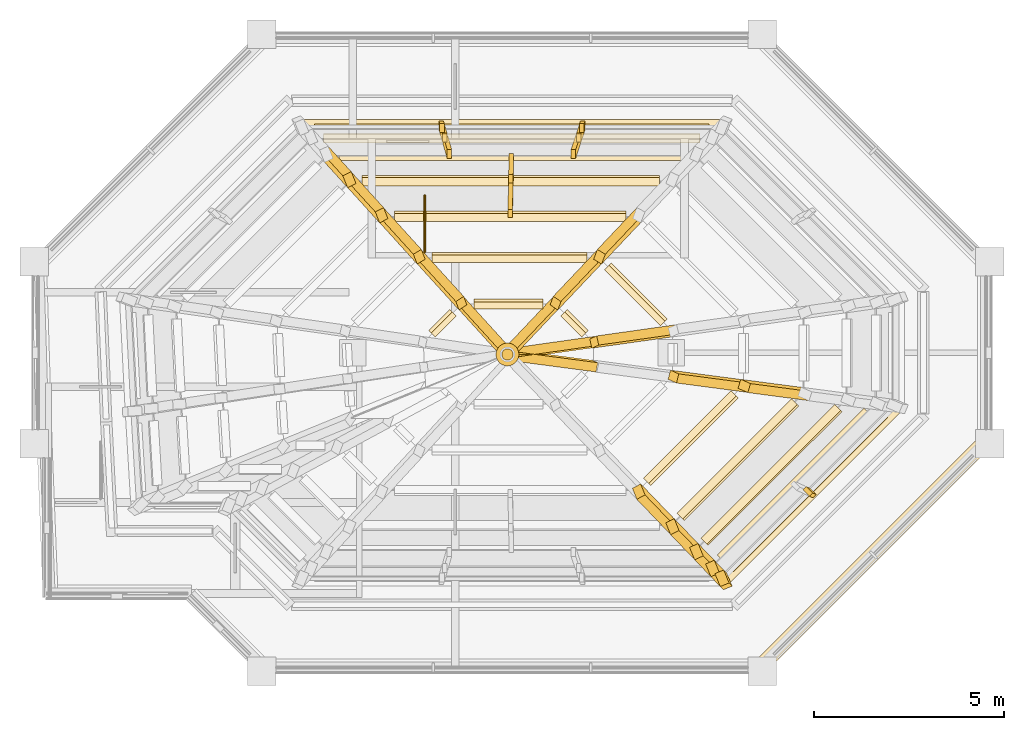
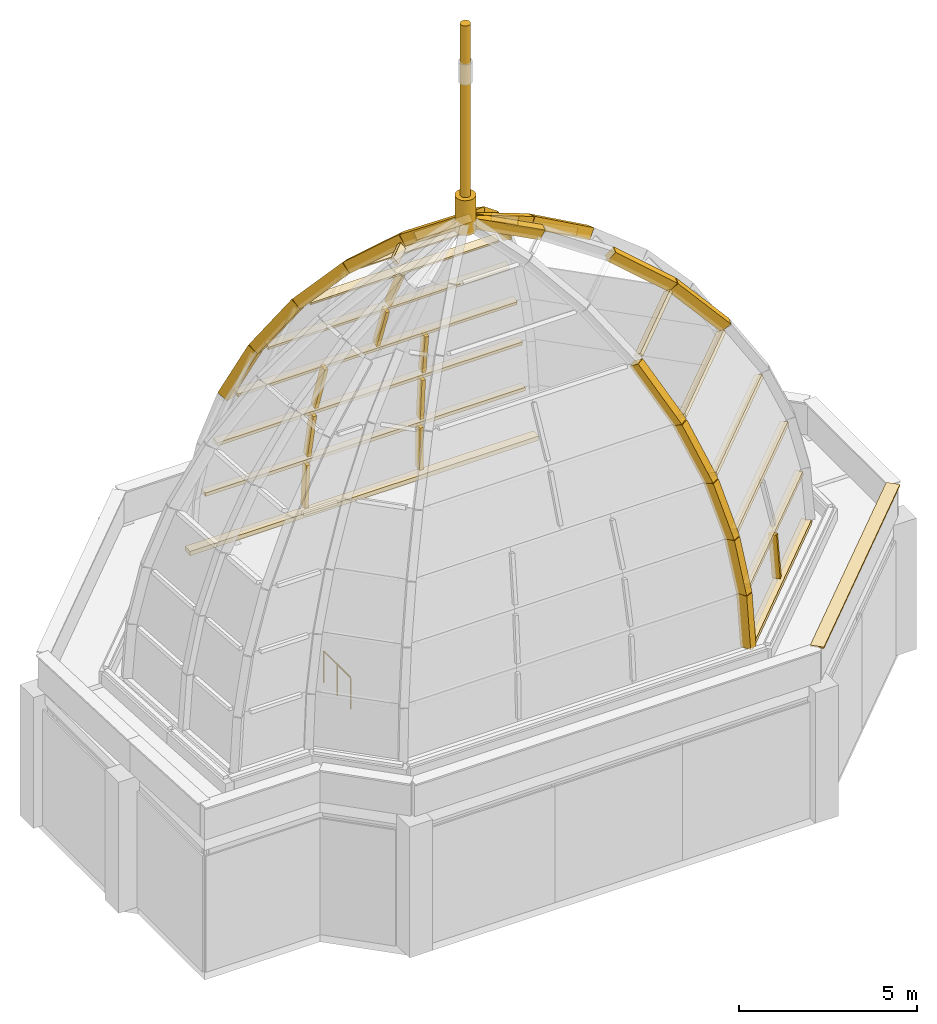
# One storey, part 8 of 9: 47 coverings, 1 railing.
"""IFC4 building model written with IfcOpenShell, lengths in metres."""

from ifc_helpers import new_model, si_unit, direction, frame, origin, origin_2d, place, context, subcontext, project, spatial, polyline, rectangle, circle, outline, extrude, material, layer, layer_set, material_profile, profile_set, type_object, element, save


model = new_model("IFC4")

# Units and contexts
model_context = context("Model", 3, precision=1e-05, world=origin(), true_north=direction((0.0, 1.0)))
body_context = subcontext(model_context, "Body", "Model", "MODEL_VIEW")
ifc_project = project(units=[si_unit("LENGTHUNIT", "METRE"), si_unit("AREAUNIT", "SQUARE_METRE"), si_unit("VOLUMEUNIT", "CUBIC_METRE"), si_unit("PLANEANGLEUNIT", "RADIAN"), si_unit("MASSUNIT", "GRAM", prefix="KILO")], contexts=[model_context])

# Site, building, storey
site_placement = place(None, origin())
site = spatial("IfcSite", under=ifc_project, at=site_placement, CompositionType="ELEMENT")
building_placement = place(site_placement, origin())
building = spatial("IfcBuilding", under=site, at=building_placement, Name="Kawkab Arch Medical Tower", CompositionType="ELEMENT")
storey_placement = place(building_placement, frame((0.0, 0.0, 359.199951171875)))
storey = spatial("IfcBuildingStorey", under=building, at=storey_placement, Name="L83", CompositionType="ELEMENT", Elevation=359.199951171875)

# Coverings
ifc_material_1 = material(Name="Bronze painted steel hip rib", Category="steel")
ifc_layer_1 = layer(ifc_material_1, 0.3701171875)
ifc_layer_set_1 = layer_set([ifc_layer_1], Name="Bronze painted steel hip rib")
covering_type_1 = type_object("IfcCoveringType", Name="Crown hip rib 250 x 370", PredefinedType="CLADDING", material=ifc_layer_set_1)
covering_1_placement = place(storey_placement, frame((18.4052734375, -39.7548828125, 4.666259765625), z_axis=(0.381807446247, -0.922302771131, 0.059838719524), x_axis=(-0.044456195822, 0.046342156701, 0.997935895319)))
element("IfcCovering", 1, at=covering_1_placement, inside=storey, type_object=covering_type_1, Name="Crown hip rib, peak B 4 row 1", PredefinedType="CLADDING", context=body_context, shape_type="SweptSolid", body=[
    extrude(outline(polyline([(0.0, 0.0), (1.8235859391934315, -6.938893903907228e-18), (1.823559726345783, 0.25016266329788933), (-0.0002807031042745172, 0.24994296998615), (0.0, 0.0)])), origin(), (0.0, 0.0, -1.0), 0.3701171875),
])
covering_2_placement = place(storey_placement, frame((18.32177734375, -39.666748046875, 6.518310546875), z_axis=(0.374739708189, -0.909548638126, 0.179698152435), x_axis=(-0.133482111925, 0.138873171108, 0.981273034452)))
element("IfcCovering", 2, at=covering_2_placement, inside=storey, type_object=covering_type_1, Name="Crown hip rib, peak B 4 row 2", PredefinedType="CLADDING", context=body_context, shape_type="SweptSolid", body=[
    extrude(outline(polyline([(0.0, 0.0), (1.8545584120643046, 0.0), (1.8545538163702742, 0.24987921080502556), (-0.00024416430595699395, 0.24989614615207129), (0.0, 0.0)])), origin(), (0.0, 0.0, -1.0), 0.3701171875),
])
covering_3_placement = place(storey_placement, frame((18.069580078125, -39.4013671875, 8.3701171875), z_axis=(0.360654625762, -0.883144091865, 0.299974588793), x_axis=(-0.222123062861, 0.231039474476, 0.947249759134)))
element("IfcCovering", 3, at=covering_3_placement, inside=storey, type_object=covering_type_1, Name="Crown hip rib, peak B 4 row 3", PredefinedType="CLADDING", context=body_context, shape_type="SweptSolid", body=[
    extrude(outline(polyline([(0.0, 0.0), (1.9213983966848414, 5.551115123125783e-17), (1.9213189850502945, 0.2500938936690524), (9.762125028505222e-05, 0.24984518634115202), (0.0, 0.0)])), origin(), (0.0, 0.0, -1.0), 0.3701171875),
])
covering_4_placement = place(storey_placement, frame((17.6357421875, -38.945068359375, 10.2216796875), z_axis=(0.338602559858, -0.841229343618, 0.421522831996), x_axis=(-0.310593937935, 0.322948175244, 0.893999933906)))
element("IfcCovering", 4, at=covering_4_placement, inside=storey, type_object=covering_type_1, Name="Crown hip rib, peak B 4 row 4", PredefinedType="CLADDING", context=body_context, shape_type="SweptSolid", body=[
    extrude(outline(polyline([(0.0, 0.0), (2.035866025990175, 5.551115123125783e-17), (2.0357383184913838, 0.24990183866007798), (0.00016638280195124117, 0.2500815894782688), (0.0, 0.0)])), origin(), (0.0, 0.0, -1.0), 0.3701171875),
])
covering_5_placement = place(storey_placement, frame((7.531982421875, -28.266357421875, 10.22021484375), z_axis=(-0.339493719066, 0.84092798058, 0.421407339984), x_axis=(0.298253514075, -0.328656094546, 0.896119418861)))
element("IfcCovering", 5, at=covering_5_placement, inside=storey, type_object=covering_type_1, Name="Crown hip rib, peak B 8 row 4", PredefinedType="CLADDING", context=body_context, shape_type="SweptSolid", body=[
    extrude(outline(polyline([(0.0, 0.0), (2.0308073435298706, 5.551115123125783e-17), (2.030916674406926, 0.24985174969788293), (-0.00010944827794007878, 0.24988574214062237), (0.0, 0.0)])), origin(), (0.0, 0.0, -1.0), 0.3701171875),
])
covering_6_placement = place(storey_placement, frame((16.99365234375, -38.27001953125, 12.07275390625), z_axis=(0.306776015976, -0.780556951799, 0.54462769028), x_axis=(-0.398433342998, 0.414348724468, 0.818270130042)))
element("IfcCovering", 6, at=covering_6_placement, inside=storey, type_object=covering_type_1, Name="Crown hip rib, peak B 4 row 5", PredefinedType="CLADDING", context=body_context, shape_type="SweptSolid", body=[
    extrude(outline(polyline([(0.0, 0.0), (2.224287912454489, -5.551115123125783e-17), (2.224362542602309, 0.24993250729226513), (7.463014781943639e-05, 0.24993250729226513), (0.0, 0.0)])), origin(), (0.0, 0.0, -1.0), 0.3701171875),
])
covering_7_placement = place(storey_placement, frame((20.48779296875, -34.62451171875, 12.090087890625), z_axis=(0.698217470194, -0.30431903165, 0.647983249237), x_axis=(-0.657123567256, 0.086693109119, 0.748780957415)))
element("IfcCovering", 7, at=covering_7_placement, inside=storey, type_object=covering_type_1, Name="Crown hip rib, peak B 5 row 5", PredefinedType="CLADDING", context=body_context, shape_type="SweptSolid", body=[
    extrude(outline(polyline([(0.0, 0.0), (2.4306349042213844, 5.551115123125783e-17), (2.430627158178041, 0.24992785332067302), (-0.00016817660175519333, 0.24985850664625595), (0.0, 0.0)])), origin(), (0.0, 0.0, -1.0), 0.3701171875),
])
covering_8_placement = place(storey_placement, frame((8.147216796875, -28.951416015625, 12.071044921875), z_axis=(-0.30825655698, 0.779903713763, 0.544727539544), x_axis=(0.383186459248, -0.422309609386, 0.82147594686)))
element("IfcCovering", 8, at=covering_8_placement, inside=storey, type_object=covering_type_1, Name="Crown hip rib, peak B 8 row 5", PredefinedType="CLADDING", context=body_context, shape_type="SweptSolid", body=[
    extrude(outline(polyline([(0.0, 0.0), (2.2153104125648166, -1.1102230246251565e-16), (2.2152008791524764, 0.2498763253807761), (-0.0001095334123400113, 0.24987632538077614), (0.0, 0.0)])), origin(), (0.0, 0.0, -1.0), 0.3701171875),
])
covering_9_placement = place(storey_placement, frame((18.86376953125, -34.404052734375, 13.934326171875), z_axis=(0.598014543558, -0.264931330509, 0.756432413245), x_axis=(-0.763036329931, 0.10061863342, 0.63847588037)))
element("IfcCovering", 9, at=covering_9_placement, inside=storey, type_object=covering_type_1, Name="Crown hip rib, peak B 5 row 6", PredefinedType="CLADDING", context=body_context, shape_type="SweptSolid", body=[
    extrude(outline(polyline([(0.0, 0.0), (2.4431373971900294, 2.7755575615628914e-17), (2.4431705070877165, 0.2499730380015415), (-0.00012276800279431566, 0.25000770128864536), (0.0, 0.0)])), origin(), (0.0, 0.0, -1.0), 0.3701171875),
])
covering_10_placement = place(storey_placement, frame((15.885986328125, -29.78369140625, 13.87158203125), z_axis=(0.267142136067, 0.697263401305, 0.665175787546), x_axis=(-0.477241549607, -0.503942741122, 0.719918201603)))
element("IfcCovering", 10, at=covering_10_placement, inside=storey, type_object=covering_type_1, Name="Crown hip rib, peak B 7 row 6", PredefinedType="CLADDING", context=body_context, shape_type="SweptSolid", body=[
    extrude(outline(polyline([(0.0, 0.0), (2.1669942366739483, -2.220446049250313e-16), (2.1670444070298407, 0.2499482527786558), (5.017035589222063e-05, 0.2499482527786559), (0.0, 0.0)])), origin(), (0.0, 0.0, -1.0), 0.3701171875),
])
covering_11_placement = place(storey_placement, frame((9.0078125, -29.909423828125, 13.918701171875), z_axis=(-0.26971684962, 0.699968652738, 0.661284134253), x_axis=(0.461536426615, -0.508742606939, 0.726749672716)))
element("IfcCovering", 11, at=covering_11_placement, inside=storey, type_object=covering_type_1, Name="Crown hip rib, peak B 8 row 6", PredefinedType="CLADDING", context=body_context, shape_type="SweptSolid", body=[
    extrude(outline(polyline([(0.0, 0.0), (2.146594460130639, -1.6653345369377348e-16), (2.1467465964278327, 0.25007730641741344), (3.9456505540061415e-05, 0.2498709769731566), (0.0, 0.0)])), origin(), (0.0, 0.0, -1.0), 0.3701171875),
])
covering_12_placement = place(storey_placement, frame((16.918701171875, -32.86279296875, 15.47900390625), z_axis=(0.493248602641, 0.221858704892, 0.84112099668), x_axis=(-0.842581660815, -0.11851812757, 0.525366156404)))
element("IfcCovering", 12, at=covering_12_placement, inside=storey, type_object=covering_type_1, Name="Crown hip rib, peak B 6 row 7", PredefinedType="CLADDING", context=body_context, shape_type="SweptSolid", body=[
    extrude(outline(polyline([(0.0, 0.0), (2.474296839786703, 1.1102230246251565e-16), (2.4743124364348885, 0.24994116934735583), (-6.184854332125234e-05, 0.2500253295807209), (0.0, 0.0)])), origin(), (0.0, 0.0, -1.0), 0.3701171875),
])
covering_13_placement = place(storey_placement, frame((14.845947265625, -30.89111328125, 15.45361328125), z_axis=(0.224240635804, 0.602774198681, 0.765754139824), x_axis=(-0.544118175914, -0.574440997601, 0.611516926106)))
element("IfcCovering", 13, at=covering_13_placement, inside=storey, type_object=covering_type_1, Name="Crown hip rib, peak B 7 row 7", PredefinedType="CLADDING", context=body_context, shape_type="SweptSolid", body=[
    extrude(outline(polyline([(0.0, 0.0), (2.125906596435496, -5.551115123125783e-17), (2.1260217739463214, 0.24981608359473062), (-1.7663840715984036e-05, 0.25001346816433795), (0.0, 0.0)])), origin(), (0.0, 0.0, -1.0), 0.3701171875),
])
covering_14_placement = place(storey_placement, frame((10.01123046875, -31.027587890625, 15.501220703125), z_axis=(-0.227361029851, 0.60550259641, 0.762675270247), x_axis=(0.527817829647, -0.581542183245, 0.619045255061)))
element("IfcCovering", 14, at=covering_14_placement, inside=storey, type_object=covering_type_1, Name="Crown hip rib, peak B 8 row 7", PredefinedType="CLADDING", context=body_context, shape_type="SweptSolid", body=[
    extrude(outline(polyline([(0.0, 0.0), (2.09999583261425, 2.7755575615628914e-17), (2.1000244455020773, 0.2499604068167074), (-0.0001133651842536651, 0.2500930485092324), (0.0, 0.0)])), origin(), (0.0, 0.0, -1.0), 0.3701171875),
])
covering_15_placement = place(storey_placement, frame((14.86083984375, -33.862060546875, 16.8232421875), z_axis=(0.389851209253, -0.178659564044, 0.903380758495), x_axis=(-0.902849346687, 0.119009910423, 0.413158200219)))
element("IfcCovering", 15, at=covering_15_placement, inside=storey, type_object=covering_type_1, Name="Crown hip rib, peak B 5 row 8", PredefinedType="CLADDING", context=body_context, shape_type="SweptSolid", body=[
    extrude(outline(polyline([(0.0, 0.0), (2.5169403451618946, -2.7755575615628914e-17), (2.5170820831098983, 0.24996524317979602), (4.086924677820271e-05, 0.24999329652774172), (0.0, 0.0)])), origin(), (0.0, 0.0, -1.0), 0.3701171875),
])
covering_16_placement = place(storey_placement, frame((14.814453125, -33.164794921875, 16.795166015625), z_axis=(0.388894897894, 0.17701009125, 0.904117351889), x_axis=(-0.901948380018, -0.126842547211, 0.412795455401)))
element("IfcCovering", 16, at=covering_16_placement, inside=storey, type_object=covering_type_1, Name="Crown hip rib, peak B 6 row 8", PredefinedType="CLADDING", context=body_context, shape_type="SweptSolid", body=[
    extrude(outline(polyline([(0.0, 0.0), (2.5195022108193594, -1.3877787807814457e-17), (2.519547987714154, 0.24988767542457452), (4.5776894794973336e-05, 0.24988767542457446), (0.0, 0.0)])), origin(), (0.0, 0.0, -1.0), 0.3701171875),
])
covering_17_placement = place(storey_placement, frame((13.6826171875, -32.130615234375, 16.774169921875), z_axis=(0.178792724936, 0.494903936494, 0.850354781931), x_axis=(-0.598166828528, -0.63153246946, 0.493318543404)))
element("IfcCovering", 17, at=covering_17_placement, inside=storey, type_object=covering_type_1, Name="Crown hip rib, peak B 7 row 8", PredefinedType="CLADDING", context=body_context, shape_type="SweptSolid", body=[
    extrude(outline(polyline([(0.0, 0.0), (2.108109184622725, -1.3877787807814457e-16), (2.108007486291129, 0.24996586968761456), (0.0001647775892855731, 0.24981986132887263), (0.0, 0.0)])), origin(), (0.0, 0.0, -1.0), 0.3701171875),
])
covering_18_placement = place(storey_placement, frame((11.1328125, -32.277587890625, 16.818359375), z_axis=(-0.181612664, 0.497646630742, 0.848153683707), x_axis=(0.58168710031, -0.641054922795, 0.500688229632)))
element("IfcCovering", 18, at=covering_18_placement, inside=storey, type_object=covering_type_1, Name="Crown hip rib, peak B 8 row 8", PredefinedType="CLADDING", context=body_context, shape_type="SweptSolid", body=[
    extrude(outline(polyline([(0.0, 0.0), (2.076731307700895, -5.551115123125783e-17), (2.0768185305952587, 0.24996433866329587), (8.722289436323416e-05, 0.24996433866329582), (0.0, 0.0)])), origin(), (0.0, 0.0, -1.0), 0.3701171875),
])
ifc_material_2 = material(Name="Bronze anodised aluminium joint bar", Category="aluminium")
ifc_layer_2 = layer(ifc_material_2, 0.239990234375)
ifc_layer_set_2 = layer_set([ifc_layer_2], Name="Bronze anodised aluminium joint bar")
covering_type_2 = type_object("IfcCoveringType", Name="Crown joint bar 120 x 240", PredefinedType="CLADDING", material=ifc_layer_set_2)
covering_19_placement = place(storey_placement, frame((18.44189453125, -39.373291015625, 6.41796875), z_axis=(0.705663874894, -0.705642707306, 0.064084828902), x_axis=(0.707096131957, 0.707117430255, 9.59177e-07)))
element("IfcCovering", 19, at=covering_19_placement, inside=storey, type_object=covering_type_2, Name="Crown joint bar, peak B face 4 ring 1", PredefinedType="CLADDING", context=body_context, shape_type="SweptSolid", body=[
    extrude(outline(polyline([(0.0, 0.0), (5.755082708100826, 0.0), (5.755082937241224, 0.11986978387776409), (0.00017286523176916475, 0.11988084673366683), (0.0, 0.0)])), origin(), (0.0, 0.0, -1.0), 0.239990234375),
])
covering_20_placement = place(storey_placement, frame((17.7998046875, -27.56298828125, 6.415771484375), z_axis=(0.0, 0.99890466066, 0.046791868015), x_axis=(-1.0, 0.0, 0.0)))
element("IfcCovering", 20, at=covering_20_placement, inside=storey, type_object=covering_type_2, Name="Crown joint bar, peak B face 7 ring 1", PredefinedType="CLADDING", context=body_context, shape_type="SweptSolid", body=[
    extrude(outline(polyline([(0.0, 0.0), (10.40283203125, 0.0), (10.40283203125, 0.12000449251666426), (0.0, 0.12000449251666426), (0.0, 0.0)])), origin(), (0.0, 0.0, -1.0), 0.239990234375),
])
covering_21_placement = place(storey_placement, frame((18.198486328125, -39.119873046875, 8.254150390625), z_axis=(0.693902892803, -0.693859127247, 0.192505290566), x_axis=(0.707084480959, 0.707129080711, 0.0)))
element("IfcCovering", 21, at=covering_21_placement, inside=storey, type_object=covering_type_2, Name="Crown joint bar, peak B face 4 ring 2", PredefinedType="CLADDING", context=body_context, shape_type="SweptSolid", body=[
    extrude(outline(polyline([(0.0, 0.0), (5.474035384715375, 0.0), (5.474036114252346, 0.12016754335205225), (7.295369721400241e-07, 0.12016754335205217), (0.0, 0.0)])), origin(), (0.0, 0.0, -1.0), 0.239990234375),
])
covering_22_placement = place(storey_placement, frame((17.55224609375, -27.81982421875, 8.247802734375), z_axis=(0.0, 0.989785908973, 0.142561756436), x_axis=(-1.0, 0.0, 0.0)))
element("IfcCovering", 22, at=covering_22_placement, inside=storey, type_object=covering_type_2, Name="Crown joint bar, peak B face 7 ring 2", PredefinedType="CLADDING", context=body_context, shape_type="SweptSolid", body=[
    extrude(outline(polyline([(0.0, 0.0), (9.918212890625, 0.0), (9.918212890625, 0.11987677605260985), (0.0, 0.11987677605260985), (0.0, 0.0)])), origin(), (0.0, 0.0, -1.0), 0.239990234375),
])
covering_23_placement = place(storey_placement, frame((17.77392578125, -38.67822265625, 10.091552734375), z_axis=(0.669942113292, -0.669965292273, 0.31988134048), x_axis=(0.70712026494, 0.707093297157, -5.243041e-06)))
element("IfcCovering", 23, at=covering_23_placement, inside=storey, type_object=covering_type_2, Name="Crown joint bar, peak B face 4 ring 3", PredefinedType="CLADDING", context=body_context, shape_type="SweptSolid", body=[
    extrude(outline(polyline([(0.0, 0.0), (4.989625807158671, 1.1102230246251565e-16), (4.989797110043406, 0.12010636827441022), (-1.3273147655318012e-06, 0.12005114413115725), (0.0, 0.0)])), origin(), (0.0, 0.0, -1.0), 0.239990234375),
])
covering_24_placement = place(storey_placement, frame((17.125244140625, -28.266845703125, 10.08056640625), z_axis=(0.0, 0.970855113545, 0.239667161921), x_axis=(-1.0, 0.0, 0.0)))
element("IfcCovering", 24, at=covering_24_placement, inside=storey, type_object=covering_type_2, Name="Crown joint bar, peak B face 7 ring 3", PredefinedType="CLADDING", context=body_context, shape_type="SweptSolid", body=[
    extrude(outline(polyline([(0.0, 0.0), (9.082275390625, 0.0), (9.082275390625, 0.12020250717315713), (0.0, 0.12020250717315713), (0.0, 0.0)])), origin(), (0.0, 0.0, -1.0), 0.239990234375),
])
covering_25_placement = place(storey_placement, frame((17.142578125, -38.021728515625, 11.93017578125), z_axis=(0.63241010851, -0.632435662499, 0.44730592155), x_axis=(0.707123925041, 0.70708963687, -8.082222e-06)))
element("IfcCovering", 25, at=covering_25_placement, inside=storey, type_object=covering_type_2, Name="Crown joint bar, peak B face 4 ring 4", PredefinedType="CLADDING", context=body_context, shape_type="SweptSolid", body=[
    extrude(outline(polyline([(0.0, 0.0), (4.272506283939142, -2.220446049250313e-16), (4.272331482501814, 0.11987314318307438), (-2.163760316342385e-06, 0.11979592632024422), (0.0, 0.0)])), origin(), (0.0, 0.0, -1.0), 0.239990234375),
])
covering_26_placement = place(storey_placement, frame((16.4931640625, -28.931884765625, 11.9150390625), z_axis=(0.0, 0.938898256401, 0.344194805492), x_axis=(-1.0, 0.0, 0.0)))
element("IfcCovering", 26, at=covering_26_placement, inside=storey, type_object=covering_type_2, Name="Crown joint bar, peak B face 7 ring 4", PredefinedType="CLADDING", context=body_context, shape_type="SweptSolid", body=[
    extrude(outline(polyline([(0.0, 0.0), (7.844482421875, 0.0), (7.844482421875, 0.11987329549044994), (0.0, 0.11987329549044994), (0.0, 0.0)])), origin(), (0.0, 0.0, -1.0), 0.239990234375),
])
covering_27_placement = place(storey_placement, frame((16.255615234375, -37.09912109375, 13.77001953125), z_axis=(0.578531794043, -0.578562368602, 0.574949170726), x_axis=(0.707119288907, 0.707094273136, 1.2430101e-05)))
element("IfcCovering", 27, at=covering_27_placement, inside=storey, type_object=covering_type_2, Name="Crown joint bar, peak B face 4 ring 5", PredefinedType="CLADDING", context=body_context, shape_type="SweptSolid", body=[
    extrude(outline(polyline([(0.0, 0.0), (3.2665709254113677, 0.0), (3.26674356042971, 0.11990372618394411), (-1.5268011725260303e-09, 0.12000298166674517), (0.0, 0.0)])), origin(), (0.0, 0.0, -1.0), 0.239990234375),
])
covering_28_placement = place(storey_placement, frame((15.60693359375, -29.86669921875, 13.75146484375), z_axis=(0.0, 0.889902252843, 0.456151269192), x_axis=(-1.0, 0.0, 0.0)))
element("IfcCovering", 28, at=covering_28_placement, inside=storey, type_object=covering_type_2, Name="Crown joint bar, peak B face 7 ring 5", PredefinedType="CLADDING", context=body_context, shape_type="SweptSolid", body=[
    extrude(outline(polyline([(0.0, 0.0), (6.109130859375, 0.0), (6.109130859375, 0.11988895722443155), (0.0, 0.11988895722443155), (0.0, 0.0)])), origin(), (0.0, 0.0, -1.0), 0.239990234375),
])
covering_29_placement = place(storey_placement, frame((16.697998046875, -32.712158203125, 15.35009765625), z_axis=(0.509113784636, 0.509155776865, 0.693947800039), x_axis=(-0.707121898609, 0.707091663141, -2.0605385e-05)))
element("IfcCovering", 29, at=covering_29_placement, inside=storey, type_object=covering_type_2, Name="Crown joint bar, peak B face 6 ring 6", PredefinedType="CLADDING", context=body_context, shape_type="SweptSolid", body=[
    extrude(outline(polyline([(0.0, 0.0), (2.093008450030865, 0.0), (2.0931810853677923, 0.12009148924551134), (-1.845350400563469e-09, 0.11997169061381854), (0.0, 0.0)])), origin(), (0.0, 0.0, -1.0), 0.239990234375),
])
covering_30_placement = place(storey_placement, frame((14.572509765625, -30.960205078125, 15.329833984375), z_axis=(0.0, 0.819614875953, 0.572914875977), x_axis=(-1.0, 0.0, 0.0)))
element("IfcCovering", 30, at=covering_30_placement, inside=storey, type_object=covering_type_2, Name="Crown joint bar, peak B face 7 ring 6", PredefinedType="CLADDING", context=body_context, shape_type="SweptSolid", body=[
    extrude(outline(polyline([(0.0, 0.0), (4.083984375, 0.0), (4.083984375, 0.11974469245186546), (0.0, 0.11974469245186546), (0.0, 0.0)])), origin(), (0.0, 0.0, -1.0), 0.239990234375),
])
covering_31_placement = place(storey_placement, frame((14.608154296875, -33.010498046875, 16.668212890625), z_axis=(0.432790335424, 0.432790335424, 0.79081290526), x_axis=(-0.707106781187, 0.707106781187, 0.0)))
element("IfcCovering", 31, at=covering_31_placement, inside=storey, type_object=covering_type_2, Name="Crown joint bar, peak B face 6 ring 7", PredefinedType="CLADDING", context=body_context, shape_type="SweptSolid", body=[
    extrude(outline(polyline([(0.0, 0.0), (0.7806486485658125, 0.0), (0.7806486485658126, 0.12006432835598173), (0.0, 0.12006432835598173), (0.0, 0.0)])), origin(), (0.0, 0.0, -1.0), 0.239990234375),
])
covering_32_placement = place(storey_placement, frame((13.415771484375, -32.185546875, 16.6484375), z_axis=(0.0, 0.729155994478, 0.684347525543), x_axis=(-1.0, 0.0, 0.0)))
element("IfcCovering", 32, at=covering_32_placement, inside=storey, type_object=covering_type_2, Name="Crown joint bar, peak B face 7 ring 7", PredefinedType="CLADDING", context=body_context, shape_type="SweptSolid", body=[
    extrude(outline(polyline([(0.0, 0.0), (1.81884765625, 0.0), (1.81884765625, 0.11986782583143678), (0.0, 0.11986782583143678), (0.0, 0.0)])), origin(), (0.0, 0.0, -1.0), 0.239990234375),
])
covering_33_placement = place(storey_placement, frame((10.956298828125, -32.4580078125, 16.6669921875), z_axis=(-0.438826209055, 0.438826209055, 0.784132078475), x_axis=(-0.707106781187, -0.707106781187, 0.0)))
element("IfcCovering", 33, at=covering_33_placement, inside=storey, type_object=covering_type_2, Name="Crown joint bar, peak B face 8 ring 7", PredefinedType="CLADDING", context=body_context, shape_type="SweptSolid", body=[
    extrude(outline(polyline([(0.0, 0.0), (0.7806486485658125, 0.0), (0.7808212820573132, 0.11998648627006259), (0.00017263349150062335, 0.11998648627006259), (0.0, 0.0)])), origin(), (0.0, 0.0, -1.0), 0.239990234375),
])
covering_34_placement = place(storey_placement, frame((20.6201171875, -37.340576171875, 4.81884765625), z_axis=(0.705549733452, -0.705738909588, 0.064281919075), x_axis=(-0.062484474507, 0.028402033867, 0.997641726733)))
element("IfcCovering", 34, at=covering_34_placement, inside=storey, type_object=covering_type_2, Name="Crown joint bar, peak B face 4 row 1 joint 1", PredefinedType="CLADDING", context=body_context, shape_type="SweptSolid", body=[
    extrude(outline(polyline([(0.0, 0.0), (1.5042799250089334, 0.0), (1.5042375676230466, 0.12001615661375947), (-4.235738588648317e-05, 0.12001615661375944), (0.0, 0.0)])), origin(), (0.0, 0.0, -1.0), 0.239990234375),
])
covering_35_placement = place(storey_placement, frame((14.40625, -27.487548828125, 4.814453125), z_axis=(0.000250258373, 0.998892244308, 0.047055516499), x_axis=(-0.015600636916, -0.047045891575, 0.998770896759)))
element("IfcCovering", 35, at=covering_35_placement, inside=storey, type_object=covering_type_2, Name="Crown joint bar, peak B face 7 row 1 joint 1", PredefinedType="CLADDING", context=body_context, shape_type="SweptSolid", body=[
    extrude(outline(polyline([(0.0, 0.0), (1.5023405520469792, 0.0), (1.5024173718251213, 0.12013297904106401), (9.211434076192748e-05, 0.11988910838077758), (0.0, 0.0)])), origin(), (0.0, 0.0, -1.0), 0.239990234375),
])
covering_36_placement = place(storey_placement, frame((10.673583984375, -27.48779296875, 4.81640625), z_axis=(-0.000346227956, 0.998891816103, 0.047063997382), x_axis=(0.013653313081, -0.047054891407, 0.998798990907)))
element("IfcCovering", 36, at=covering_36_placement, inside=storey, type_object=covering_type_2, Name="Crown joint bar, peak B face 7 row 1 joint 2", PredefinedType="CLADDING", context=body_context, shape_type="SweptSolid", body=[
    extrude(outline(polyline([(0.0, 0.0), (1.5020423684175197, 6.938893903907228e-18), (1.5019721007872828, 0.11988514582297943), (-8.175564083436689e-05, 0.1198853871295283), (0.0, 0.0)])), origin(), (0.0, 0.0, -1.0), 0.239990234375),
])
covering_37_placement = place(storey_placement, frame((14.373046875, -27.58935546875, 6.642578125), z_axis=(-0.000317162657, 0.989858120274, 0.142059146613), x_axis=(-0.04671758489, -0.141918711488, 0.988775276082)))
element("IfcCovering", 37, at=covering_37_placement, inside=storey, type_object=covering_type_2, Name="Crown joint bar, peak B face 7 row 2 joint 1", PredefinedType="CLADDING", context=body_context, shape_type="SweptSolid", body=[
    extrude(outline(polyline([(0.0, 0.0), (1.5207319051633978, 0.0), (1.5205464749942306, 0.11999540854808811), (-0.0001854301691671771, 0.11999540854808811), (0.0, 0.0)])), origin(), (0.0, 0.0, -1.0), 0.239990234375),
])
covering_38_placement = place(storey_placement, frame((10.702880859375, -27.590087890625, 6.647705078125), z_axis=(-0.000404431944, 0.989852004216, 0.142101534769), x_axis=(0.040948468143, -0.14196596727, 0.989024209559)))
element("IfcCovering", 38, at=covering_38_placement, inside=storey, type_object=covering_type_2, Name="Crown joint bar, peak B face 7 row 2 joint 2", PredefinedType="CLADDING", context=body_context, shape_type="SweptSolid", body=[
    extrude(outline(polyline([(0.0, 0.0), (1.5203466506633592, 1.3877787807814457e-17), (1.5203220695513076, 0.1199746838365543), (0.00021687987661020338, 0.11996480212081002), (0.0, 0.0)])), origin(), (0.0, 0.0, -1.0), 0.239990234375),
])
covering_39_placement = place(storey_placement, frame((14.281982421875, -27.867919921875, 8.46923828125), z_axis=(0.000426586409, 0.970690133911, 0.240334104847), x_axis=(-0.078841919428, -0.239553350778, 0.967676673209)))
element("IfcCovering", 39, at=covering_39_placement, inside=storey, type_object=covering_type_2, Name="Crown joint bar, peak B face 7 row 3 joint 1", PredefinedType="CLADDING", context=body_context, shape_type="SweptSolid", body=[
    extrude(outline(polyline([(0.0, 0.0), (1.5606788105226657, 0.0), (1.5608093541188528, 0.12001283178017941), (-0.00016419029638772148, 0.11998944552945409), (0.0, 0.0)])), origin(), (0.0, 0.0, -1.0), 0.239990234375),
])
covering_40_placement = place(storey_placement, frame((10.782958984375, -27.869873046875, 8.477783203125), z_axis=(0.000340023665, 0.970681125409, 0.240370624577), x_axis=(0.069345953803, -0.239814875322, 0.968338765239)))
element("IfcCovering", 40, at=covering_40_placement, inside=storey, type_object=covering_type_2, Name="Crown joint bar, peak B face 7 row 3 joint 2", PredefinedType="CLADDING", context=body_context, shape_type="SweptSolid", body=[
    extrude(outline(polyline([(0.0, 0.0), (1.559633849682426, -1.3877787807814457e-17), (1.5596766145900478, 0.12015935125358712), (2.5834743119128485e-05, 0.11991579836936268), (0.0, 0.0)])), origin(), (0.0, 0.0, -1.0), 0.239990234375),
])
covering_41_placement = place(storey_placement, frame((12.523193359375, -28.340087890625, 10.30126953125), z_axis=(0.000763702677, 0.938856359291, 0.344308224382), x_axis=(-0.006938930952, -0.344295060409, 0.93883585499)))
element("IfcCovering", 41, at=covering_41_placement, inside=storey, type_object=covering_type_2, Name="Crown joint bar, peak B face 7 row 4 joint 1", PredefinedType="CLADDING", context=body_context, shape_type="SweptSolid", body=[
    extrude(outline(polyline([(0.0, 0.0), (1.6184850781582576, 1.734723475976807e-18), (1.6185073300277484, 0.12012035624680342), (-6.011046680252344e-05, 0.11987546323993041), (0.0, 0.0)])), origin(), (0.0, 0.0, -1.0), 0.239990234375),
])
covering_42_placement = place(storey_placement, frame((12.509521484375, -29.031494140625, 12.126708984375), z_axis=(-0.000101949341, 0.889365442451, 0.457197002812), x_axis=(-0.009050251315, -0.457179101564, 0.889328601836)))
element("IfcCovering", 42, at=covering_42_placement, inside=storey, type_object=covering_type_2, Name="Crown joint bar, peak B face 7 row 5 joint 1", PredefinedType="CLADDING", context=body_context, shape_type="SweptSolid", body=[
    extrude(outline(polyline([(0.0, 0.0), (1.7264713936498126, -3.469446951953614e-18), (1.726478229395663, 0.119878018891138), (6.835745850719359e-06, 0.119878018891138), (0.0, 0.0)])), origin(), (0.0, 0.0, -1.0), 0.239990234375),
])
ifc_material_3 = material(Name="Bronze anodised aluminium sill", Category="aluminium")
ifc_layer_3 = layer(ifc_material_3, 0.14990234375)
ifc_layer_set_3 = layer_set([ifc_layer_3], Name="Bronze anodised aluminium sill")
covering_type_3 = type_object("IfcCoveringType", Name="Crown sill 300 x 150", PredefinedType="CLADDING", material=ifc_layer_set_3)
covering_43_placement = place(storey_placement, frame((20.5029296875, -37.302978515625, 4.5), z_axis=(0.0, 0.0, 1.0), x_axis=(0.707106781187, 0.707106781187, 0.0)))
element("IfcCovering", 43, at=covering_43_placement, inside=storey, type_object=covering_type_3, Name="Crown sill, peak B 4", PredefinedType="CLADDING", context=body_context, shape_type="SweptSolid", body=[
    extrude(rectangle(XDim=6.372802734375, YDim=0.300048828125, at=origin_2d()), origin(), (0.0, 0.0, 1.0), 0.14990234375),
])
covering_44_placement = place(storey_placement, frame((12.60009765625, -27.60009765625, 4.5), z_axis=(0.0, 0.0, 1.0), x_axis=(-1.0, 0.0, 0.0)))
element("IfcCovering", 44, at=covering_44_placement, inside=storey, type_object=covering_type_3, Name="Crown sill, peak B 7", PredefinedType="CLADDING", context=body_context, shape_type="SweptSolid", body=[
    extrude(rectangle(XDim=11.336181640625, YDim=0.300048828125, at=origin_2d()), origin(), (0.0, 0.0, 1.0), 0.14990234375),
])
ifc_material_4 = material(Name="Bronze anodised aluminium coping", Category="aluminium")
ifc_layer_4 = layer(ifc_material_4, 0.050048828125)
ifc_layer_set_4 = layer_set([ifc_layer_4], Name="Bronze anodised aluminium coping")
covering_type_4 = type_object("IfcCoveringType", Name="Parapet coping 400 x 50", PredefinedType="CLADDING", material=ifc_layer_set_4)
covering_45_placement = place(storey_placement, frame((22.111572265625, -38.91162109375, 5.60009765625), z_axis=(0.0, 0.0, 1.0), x_axis=(0.707106781187, 0.707106781187, 0.0)))
element("IfcCovering", 45, at=covering_45_placement, inside=storey, type_object=covering_type_4, Name="Parapet coping, crown peak B 4", PredefinedType="CLADDING", context=body_context, shape_type="SweptSolid", body=[
    extrude(rectangle(XDim=8.2783203125, YDim=0.39990234375, at=origin_2d()), origin(), (0.0, 0.0, 1.0), 0.050048828125),
])
ifc_material_5 = material(Name="Bronze anodised aluminium spire", Category="aluminium")
ifc_material_profile_1 = material_profile(ifc_material_5, circle(Radius=0.14990234375, at=origin_2d()), Name="Spire 300")
ifc_profile_set_1 = profile_set([ifc_material_profile_1], Name="Bronze anodised aluminium spire")
covering_type_5 = type_object("IfcCoveringType", Name="Spire 300", PredefinedType="CLADDING", material=ifc_profile_set_1)
placement = place(storey_placement, frame((12.47998046875, -33.645263671875, 17.35009765625), z_axis=(0.0, 0.0, 1.0), x_axis=(1.0, 0.0, 0.0)))
element("IfcCovering", 46, at=placement, inside=storey, type_object=covering_type_5, Name="Spire, peak B", PredefinedType="CLADDING", context=body_context, shape_type="SweptSolid", body=[
    extrude(circle(Radius=0.14990234375, at=origin_2d()), origin(), (0.0, 0.0, 1.0), 7.099853515625),
])
ifc_material_6 = material(Name="Bronze anodised aluminium spire", Category="aluminium")
ifc_material_profile_2 = material_profile(ifc_material_6, circle(Radius=0.300048828125, at=origin_2d()), Name="Spire collar 600")
ifc_profile_set_2 = profile_set([ifc_material_profile_2], Name="Bronze anodised aluminium spire")
covering_type_6 = type_object("IfcCoveringType", Name="Spire collar 600", PredefinedType="CLADDING", material=ifc_profile_set_2)
element("IfcCovering", 47, at=placement, inside=storey, type_object=covering_type_6, Name="Spire collar, peak B", PredefinedType="CLADDING", context=body_context, shape_type="SweptSolid", body=[
    extrude(circle(Radius=0.300048828125, at=origin_2d()), origin(), (0.0, 0.0, 1.0), 1.199951171875),
])

# Railing
ifc_material_7 = material(Name="Stainless steel", Category="steel")
railing_type = type_object("IfcRailingType", Name="Stair guard 1100", PredefinedType="GUARDRAIL", material=ifc_material_7)
railing_placement = place(storey_placement, frame((10.300048828125, -30.949951171875, 0.0)))
element("IfcRailing", 48, at=railing_placement, inside=storey, type_object=railing_type, Name="L83 ST9 top well guard 1", PredefinedType="GUARDRAIL", context=body_context, shape_type="SweptSolid", body=[
    extrude(circle(Radius=0.02392578125, at=origin_2d()), frame((0.0, 0.0, 1.076171875), z_axis=(0.0, 1.0, 0.0), x_axis=(-1.0, 0.0, 0.0)), (0.0, 0.0, 1.0), 1.5),
    extrude(circle(Radius=0.02099609375, at=origin_2d()), origin(), (0.0, 0.0, 1.0), 1.052001953125),
    extrude(circle(Radius=0.02099609375, at=origin_2d()), frame((0.0, 0.75, 0.0)), (0.0, 0.0, 1.0), 1.052001953125),
    extrude(circle(Radius=0.02099609375, at=origin_2d()), frame((0.0, 1.5, 0.0)), (0.0, 0.0, 1.0), 1.052001953125),
])

save(model, "model.ifc")
